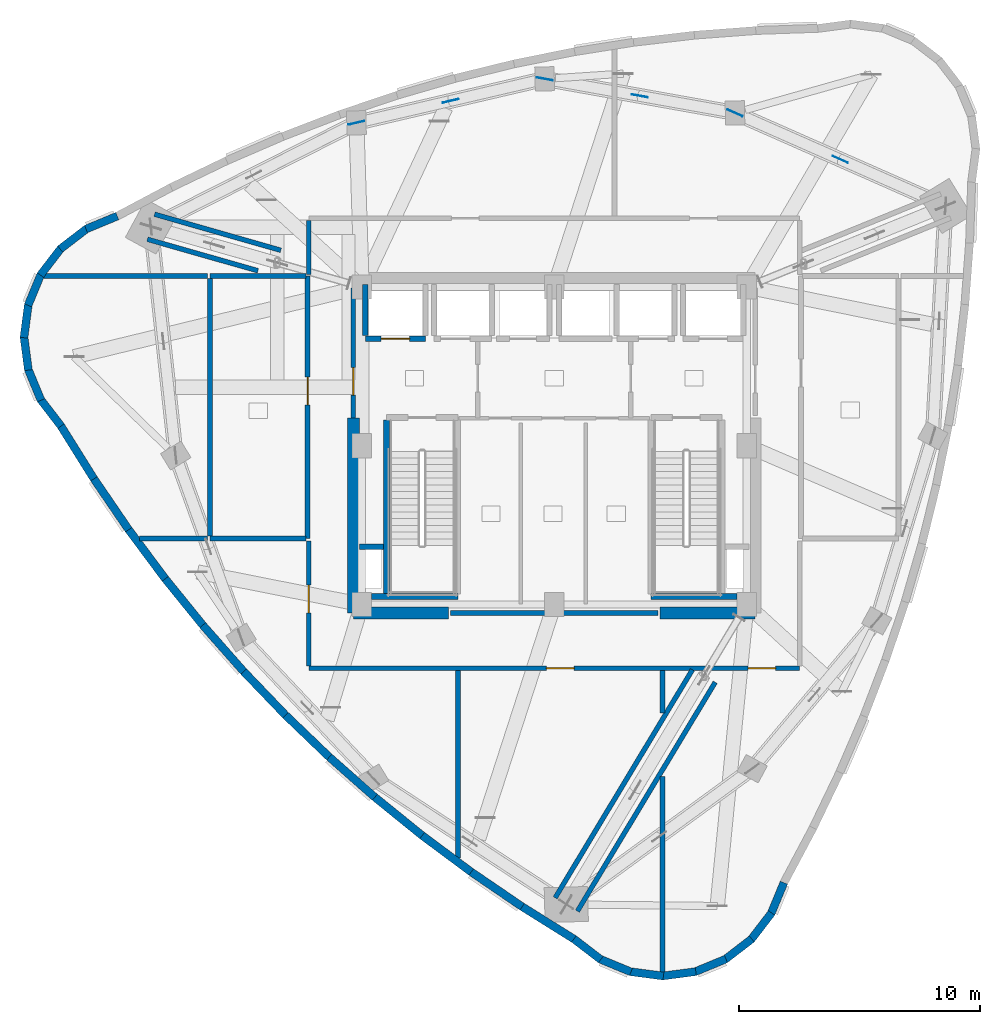
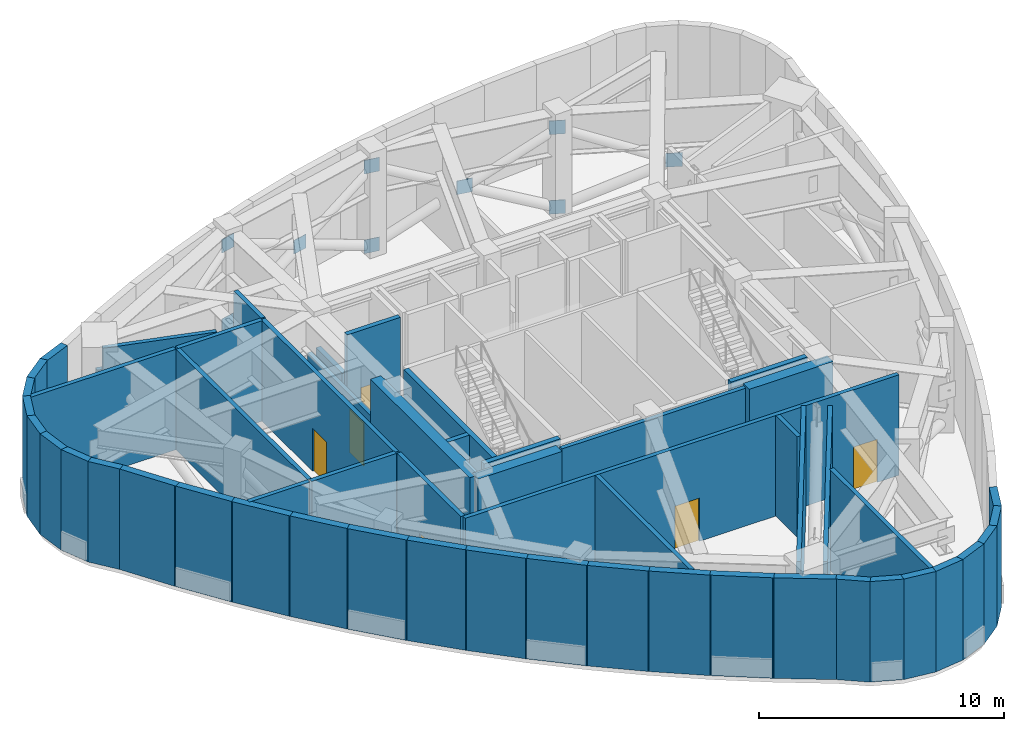
# One storey, part 5 of 10: 55 walls, 9 plates, 6 doors, 6 openings.
"""IFC4 building model written with IfcOpenShell, lengths in metres."""

import ifcopenshell
import ifcopenshell.guid

model = None  # the IFC model being written
_history = None  # IfcOwnerHistory: only IFC2X3 demands one
_inside = {}  # id of a spatial element -> (the spatial element, [elements in it])
_under = {}  # id of a project, library or spatial element -> (it, [spatial elements below it])
_declared = {}  # id of a project -> (the project, [libraries it declares])
_typed = {}  # id of a type object -> (the type object, [elements of that type])
_made_of = {}  # id of a material, layer set ... -> (it, [elements and type objects made of it])


def new_model(schema):
    """Start an empty IFC model of exactly this schema.

    Asked for "IFC4X3", IfcOpenShell would pick the latest addendum, in which some entities
    have other attributes; the version numbers below select the first issue.
    IFC2X3 requires an IfcOwnerHistory on every rooted entity: one is made here for all.
    """
    global model, _history
    if schema == "IFC4X3":
        model = ifcopenshell.file(schema_version=(4, 3, 0, 0))
    else:
        model = ifcopenshell.file(schema=schema)
    _inside.clear()
    _under.clear()
    _declared.clear()
    _typed.clear()
    _made_of.clear()
    _history = None
    if model.schema == "IFC2X3":
        org = make("IfcOrganization", Name="unknown")
        user = make(
            "IfcPersonAndOrganization",
            ThePerson=make("IfcPerson", FamilyName="unknown"),
            TheOrganization=org,
        )
        app = make(
            "IfcApplication",
            ApplicationDeveloper=org,
            Version="unknown",
            ApplicationFullName="unknown",
            ApplicationIdentifier="unknown",
        )
        _history = make(
            "IfcOwnerHistory",
            OwningUser=user,
            OwningApplication=app,
            ChangeAction="ADDED",
            CreationDate=0,
        )
    return model


def make(cls, **values):
    """One entity of the class cls with the attributes given. An attribute that is None is left unset."""
    return model.create_entity(
        cls, **{name: value for name, value in values.items() if value is not None}
    )


def rooted(cls, **values):
    """An entity with a GlobalId (a new one), such as an element, a storey or a relation."""
    return make(cls, GlobalId=ifcopenshell.guid.new(), OwnerHistory=_history, **values)


def si_unit(unit_type, name, prefix=None):
    """IfcSIUnit, for example si_unit("LENGTHUNIT", "METRE", prefix="MILLI")."""
    return make("IfcSIUnit", UnitType=unit_type, Prefix=prefix, Name=name)


def assignment(units):
    """IfcUnitAssignment: the units of a project."""
    return None if units is None else make("IfcUnitAssignment", Units=units)


def point(xyz):
    """IfcCartesianPoint."""
    return None if xyz is None else make("IfcCartesianPoint", Coordinates=xyz)


def direction(xyz):
    """IfcDirection."""
    return None if xyz is None else make("IfcDirection", DirectionRatios=xyz)


def frame(location, z_axis=None, x_axis=None):
    """IfcAxis2Placement3D, a coordinate frame: its origin and axes. An axis left out is left unset."""
    return make(
        "IfcAxis2Placement3D",
        Location=point(location),
        Axis=direction(z_axis),
        RefDirection=direction(x_axis),
    )


def frame_2d(location, x_axis=None):
    """IfcAxis2Placement2D, a coordinate frame in the plane: its origin and x axis."""
    return make(
        "IfcAxis2Placement2D", Location=point(location), RefDirection=direction(x_axis)
    )


def origin():
    """The frame at (0, 0, 0) with its axes left unset."""
    return frame((0.0, 0.0, 0.0))


def origin_2d():
    """The frame at (0, 0) in the plane with its x axis left unset."""
    return frame_2d((0.0, 0.0))


def place(relative_to, where):
    """IfcLocalPlacement: puts the frame where relative to a parent placement (None: the world)."""
    return make(
        "IfcLocalPlacement", PlacementRelTo=relative_to, RelativePlacement=where
    )


def context(
    kind, dimensions, precision=None, world=None, true_north=None, identifier=None
):
    """IfcGeometricRepresentationContext, for example the 3D "Model" context."""
    return make(
        "IfcGeometricRepresentationContext",
        ContextIdentifier=identifier,
        ContextType=kind,
        CoordinateSpaceDimension=dimensions,
        Precision=precision,
        WorldCoordinateSystem=world,
        TrueNorth=true_north,
    )


def subcontext(parent, identifier, kind, view, scale=None):
    """IfcGeometricRepresentationSubContext, for example "Body" below "Model"."""
    return make(
        "IfcGeometricRepresentationSubContext",
        ContextIdentifier=identifier,
        ContextType=kind,
        ParentContext=parent,
        TargetScale=scale,
        TargetView=view,
    )


def project(units=None, contexts=None):
    """IfcProject with its units and contexts."""
    return rooted(
        "IfcProject",
        Name="project",
        RepresentationContexts=contexts,
        UnitsInContext=assignment(units),
    )


def spatial(cls, under=None, at=None, **own):
    """A site, building, storey or space (cls), placed at a placement, below another one or the project."""
    s = rooted(cls, ObjectPlacement=at, **own)
    if under is not None:
        _under.setdefault(under.id(), (under, []))[1].append(s)
    return s


def profile(cls, at=None, kind="AREA", **sizes):
    """A parametric profile (cls). Its sizes go by their IFC names, for example OverallWidth=200.0."""
    return make(cls, ProfileType=kind, Position=at, **sizes)


def rectangle(**sizes):
    """IfcRectangleProfileDef."""
    return profile("IfcRectangleProfileDef", **sizes)


def extrude(swept, where, along, depth):
    """IfcExtrudedAreaSolid: the profile swept, set in the frame where, extruded along a direction by depth."""
    return make(
        "IfcExtrudedAreaSolid",
        SweptArea=swept,
        Position=where,
        ExtrudedDirection=direction(along),
        Depth=depth,
    )


def shape(context_of_items, identifier, shape_type, items):
    """IfcShapeRepresentation: the items that make up one representation, for example the "Body"."""
    return make(
        "IfcShapeRepresentation",
        ContextOfItems=context_of_items,
        RepresentationIdentifier=identifier,
        RepresentationType=shape_type,
        Items=items,
    )


def material(Name=None, Category=None):
    """IfcMaterial."""
    return make("IfcMaterial", Name=Name, Category=Category)


def layer(
    of_material, thickness, ventilated=None, Name=None, Category=None, Priority=None
):
    """IfcMaterialLayer: one layer of a wall or slab, of a material (None: an air gap)."""
    return make(
        "IfcMaterialLayer",
        Material=of_material,
        LayerThickness=thickness,
        IsVentilated=ventilated,
        Name=Name,
        Category=Category,
        Priority=Priority,
    )


def layer_set(layers, Name=None):
    """IfcMaterialLayerSet."""
    return make("IfcMaterialLayerSet", MaterialLayers=layers, LayerSetName=Name)


def made_of(thing, what):
    """Note that an element or type object is made of a material, layer set ...; save() writes the relation."""
    if what is not None:
        _made_of.setdefault(what.id(), (what, []))[1].append(thing)
    return thing


def type_object(cls, material=None, **own):
    """A type object (cls), such as IfcWallType, which elements share."""
    return made_of(rooted(cls, **own), material)


def element(
    cls,
    number,
    at=None,
    inside=None,
    cuts=None,
    type_object=None,
    material=None,
    context=None,
    identifier="Body",
    shape_type=None,
    held_by="IfcProductDefinitionShape",
    body=None,
    shapes=None,
    **own,
):
    """One element of the class cls, such as IfcWall. Its Tag is "e" and its number.

    at: its placement. inside: the storey or other place that contains it. cuts: it is an
    opening in that element (IfcRelVoidsElement). A single representation is given by context,
    identifier, shape_type and body (its items); several are given by shapes. held_by: the class
    of the entity that holds the representations. save() writes the other relations.
    """
    e = rooted(cls, Tag="e%d" % number, ObjectPlacement=at, **own)
    if body is not None:
        shapes = [shape(context, identifier, shape_type, body)]
    if shapes is not None:
        e.Representation = make(held_by, Representations=shapes)
    if inside is not None:
        _inside.setdefault(inside.id(), (inside, []))[1].append(e)
    if cuts is not None:
        rooted(
            "IfcRelVoidsElement", RelatingBuildingElement=cuts, RelatedOpeningElement=e
        )
    if type_object is not None:
        _typed.setdefault(type_object.id(), (type_object, []))[1].append(e)
    return made_of(e, material)


def fill(opening, filler):
    """IfcRelFillsElement: the door or window that sits in an opening."""
    return rooted(
        "IfcRelFillsElement",
        RelatingOpeningElement=opening,
        RelatedBuildingElement=filler,
    )


def aggregate(whole, parts):
    """IfcRelAggregates: a whole, such as a stair, and the parts it consists of."""
    return rooted("IfcRelAggregates", RelatingObject=whole, RelatedObjects=parts)


def save(model, path):
    """Write the relations noted so far, then the file.

    IfcRelAggregates (storeys below a building ...), IfcRelContainedInSpatialStructure (elements
    in a storey), IfcRelDefinesByType, IfcRelAssociatesMaterial and IfcRelDeclares: one each for
    every whole, place, type object, material and project.
    """
    for whole, parts in _under.values():
        aggregate(whole, parts)
    for where, things in _inside.values():
        rooted(
            "IfcRelContainedInSpatialStructure",
            RelatedElements=things,
            RelatingStructure=where,
        )
    for kind, things in _typed.values():
        rooted("IfcRelDefinesByType", RelatedObjects=things, RelatingType=kind)
    for what, things in _made_of.values():
        rooted("IfcRelAssociatesMaterial", RelatedObjects=things, RelatingMaterial=what)
    for by, libraries in _declared.values():
        rooted("IfcRelDeclares", RelatingContext=by, RelatedDefinitions=libraries)
    model.write(path)


model = new_model("IFC4")

# Units and contexts
model_context = context("Model", 3, precision=1e-05, world=origin(), true_north=direction((0.0, 1.0)))
body_context = subcontext(model_context, "Body", "Model", "MODEL_VIEW")
ifc_project = project(units=[si_unit("LENGTHUNIT", "METRE"), si_unit("AREAUNIT", "SQUARE_METRE"), si_unit("VOLUMEUNIT", "CUBIC_METRE"), si_unit("PLANEANGLEUNIT", "RADIAN"), si_unit("MASSUNIT", "GRAM", prefix="KILO")], contexts=[model_context])

# Site, building, storey
site_placement = place(None, origin())
site = spatial("IfcSite", under=ifc_project, at=site_placement, CompositionType="ELEMENT")
building_placement = place(site_placement, origin())
building = spatial("IfcBuilding", under=site, at=building_placement, Name="Ndelora Gate Hotel", CompositionType="ELEMENT")
storey_placement = place(building_placement, frame((0.0, 0.0, 254.949951171875)))
storey = spatial("IfcBuildingStorey", under=building, at=storey_placement, Name="L64", CompositionType="ELEMENT", Elevation=254.949951171875)

# Plates
ifc_material_1 = material(Name="Steel S460", Category="steel")
ifc_layer_1 = layer(ifc_material_1, 0.02392578125)
ifc_layer_set_1 = layer_set([ifc_layer_1], Name="Steel S460")
plate_type = type_object("IfcPlateType", Name="PL-NODE-BN3", PredefinedType="USERDEFINED", material=ifc_layer_set_1)
for number, where, z_axis, x_axis, name in (
    (1, (7.50830078125, 13.828369140625, 3.85986328125), (0.0, 0.0, 1.0), (-0.914818748228, 0.403864652935, 0.0), "Node gusset cap plate BN3"),
    (2, (7.50830078125, 13.828369140625, -0.10009765625), (0.0, 0.0, 1.0), (-0.914818748228, 0.403864652935, 0.0), "Node gusset cap plate BN3"),
    (3, (11.88427734375, 11.896484375, 1.8798828125), (0.0, 0.0, 1.0), (-0.914818748228, 0.403864652935, 0.0), "Node gusset cap plate BN3"),
    (4, (-0.399169921875, 15.242919921875, 3.85986328125), (0.0, 0.0, 1.0), (-0.984380510996, 0.17605399618, 0.0), "Node gusset cap plate BN3"),
    (5, (-0.399169921875, 15.242919921875, -0.10009765625), (0.0, 0.0, 1.0), (-0.984380510996, 0.17605399618, 0.0), "Node gusset cap plate BN3"),
    (6, (3.5546875, 14.53564453125, 1.8798828125), (0.0, 0.0, 1.0), (-0.984380510996, 0.17605399618, 0.0), "Node gusset cap plate BN3"),
    (7, (-8.2216796875, 13.41650390625, 3.85986328125), (0.0, 0.0, 1.0), (0.973817497477, 0.227331215647, 0.0), "Node gusset cap plate BN3"),
    (8, (-8.2216796875, 13.41650390625, -0.10009765625), (0.0, 0.0, 1.0), (0.973817497477, 0.227331215647, 0.0), "Node gusset cap plate BN3"),
    (9, (-4.310302734375, 14.32958984375, 1.8798828125), (0.0, 0.0, 1.0), (0.973817497477, 0.227331215647, 0.0), "Node gusset cap plate BN3"),
):
    element("IfcPlate", number, at=place(storey_placement, frame(where, z_axis=z_axis, x_axis=x_axis)), inside=storey, type_object=plate_type, Name=name, ObjectType="GUSSET_PLATE", PredefinedType="USERDEFINED", context=body_context, shape_type="SweptSolid", body=[
        extrude(rectangle(XDim=0.679931640625, YDim=0.02392578125, at=origin_2d()), origin(), (0.0, 0.0, 1.0), 0.679931640625),
    ])

# Walls
ifc_material_2 = material(Name="Clay Brick Masonry", Category="masonry")
ifc_layer_2 = layer(ifc_material_2, 0.330078125)
ifc_layer_set_2 = layer_set([ifc_layer_2], Name="Clay Brick Masonry")
wall_type_1 = type_object("IfcWallType", Name="WL-BRICK-330", PredefinedType="SOLIDWALL", material=ifc_layer_set_2)
for number, where, z_axis, x_axis, name in (
    (10, (-19.45751953125, 9.00439453125, 0.0), (0.0, 0.0, 1.0), (0.923824417597, 0.382816464446, 0.0), "L64 Tower Brick Pier-and-Spandrel Wall TWR-1"),
    (11, (-20.53125, 8.172607421875, 0.0), (0.0, 0.0, 1.0), (0.793416473107, 0.608679143886, 0.0), "L64 Tower Brick Pier-and-Spandrel Wall TWR-2"),
    (12, (-21.35302734375, 7.091064453125, 0.0), (0.0, 0.0, 1.0), (0.60887209944, 0.793268407617, 0.0), "L64 Tower Brick Pier-and-Spandrel Wall TWR-3"),
    (13, (-21.86669921875, 5.83349609375, 0.0), (0.0, 0.0, 1.0), (0.382668413767, 0.923885753275, 0.0), "L64 Tower Brick Pier-and-Spandrel Wall TWR-4"),
):
    element("IfcWall", number, at=place(storey_placement, frame(where, z_axis=z_axis, x_axis=x_axis)), inside=storey, type_object=wall_type_1, Name=name, PredefinedType="SOLIDWALL", context=body_context, shape_type="SweptSolid", body=[
        extrude(rectangle(XDim=1.407470703125, YDim=0.330078125, at=frame_2d((0.70361328125, 0.0))), origin(), (0.0, 0.0, 1.0), 5.0),
    ])
wall_1_placement = place(storey_placement, frame((-22.03759765625, 4.486083984375, 0.0), z_axis=(0.0, 0.0, 1.0), x_axis=(0.13045900021, 0.991453705053, 0.0)))
element("IfcWall", 14, at=wall_1_placement, inside=storey, type_object=wall_type_1, Name="L64 Tower Brick Pier-and-Spandrel Wall TWR-5", PredefinedType="SOLIDWALL", context=body_context, shape_type="SweptSolid", body=[
    extrude(rectangle(XDim=1.4072265625, YDim=0.330078125, at=frame_2d((0.70361328125, 0.0))), origin(), (0.0, 0.0, 1.0), 5.0),
])
for number, where, z_axis, x_axis, name in (
    (15, (-21.85400390625, 3.14013671875, 0.0), (0.0, 0.0, 1.0), (-0.130436565077, 0.99145665689, 0.0), "L64 Tower Brick Pier-and-Spandrel Wall TWR-6"),
    (16, (-21.328125, 1.8876953125, 0.0), (0.0, 0.0, 1.0), (-0.382668413767, 0.923885753275, 0.0), "L64 Tower Brick Pier-and-Spandrel Wall TWR-7"),
):
    element("IfcWall", number, at=place(storey_placement, frame(where, z_axis=z_axis, x_axis=x_axis)), inside=storey, type_object=wall_type_1, Name=name, PredefinedType="SOLIDWALL", context=body_context, shape_type="SweptSolid", body=[
        extrude(rectangle(XDim=1.407470703125, YDim=0.330078125, at=frame_2d((0.70361328125, 0.0))), origin(), (0.0, 0.0, 1.0), 5.0),
    ])
wall_2_placement = place(storey_placement, frame((-20.49609375, 0.81396484375, 0.0), z_axis=(0.0, 0.0, 1.0), x_axis=(-0.608788322782, 0.793332703249, 0.0)))
element("IfcWall", 17, at=wall_2_placement, inside=storey, type_object=wall_type_1, Name="L64 Tower Brick Pier-and-Spandrel Wall TWR-8", PredefinedType="SOLIDWALL", context=body_context, shape_type="SweptSolid", body=[
    extrude(rectangle(XDim=1.40771484375, YDim=0.330078125, at=frame_2d((0.703857421875, 0.0))), origin(), (0.0, 0.0, 1.0), 5.0),
])
wall_3_placement = place(storey_placement, frame((-19.1298828125, -1.376708984375, 0.0), z_axis=(0.0, 0.0, 1.0), x_axis=(-0.529990601171, 0.848003515718, 0.0)))
element("IfcWall", 18, at=wall_3_placement, inside=storey, type_object=wall_type_1, Name="L64 Tower Brick Pier-and-Spandrel Wall TWR-9", PredefinedType="SOLIDWALL", context=body_context, shape_type="SweptSolid", body=[
    extrude(rectangle(XDim=2.631591796875, YDim=0.330078125, at=frame_2d((1.31591796875, 0.0))), origin(), (0.0, 0.0, 1.0), 5.0),
])
wall_4_placement = place(storey_placement, frame((-17.68603515625, -3.49072265625, 0.0), z_axis=(0.0, 0.0, 1.0), x_axis=(-0.56364733987, 0.826015542382, 0.0)))
element("IfcWall", 19, at=wall_4_placement, inside=storey, type_object=wall_type_1, Name="L64 Tower Brick Pier-and-Spandrel Wall TWR-10", PredefinedType="SOLIDWALL", context=body_context, shape_type="SweptSolid", body=[
    extrude(rectangle(XDim=2.610107421875, YDim=0.330078125, at=frame_2d((1.30517578125, 0.0))), origin(), (0.0, 0.0, 1.0), 5.0),
])
wall_5_placement = place(storey_placement, frame((-16.167724609375, -5.5302734375, 0.0), z_axis=(0.0, 0.0, 1.0), x_axis=(-0.596816260409, 0.802377935459, 0.0)))
element("IfcWall", 20, at=wall_5_placement, inside=storey, type_object=wall_type_1, Name="L64 Tower Brick Pier-and-Spandrel Wall TWR-11", PredefinedType="SOLIDWALL", context=body_context, shape_type="SweptSolid", body=[
    extrude(rectangle(XDim=2.5927734375, YDim=0.330078125, at=frame_2d((1.29638671875, 0.0))), origin(), (0.0, 0.0, 1.0), 5.0),
])
wall_6_placement = place(storey_placement, frame((-14.57470703125, -7.494873046875, 0.0), z_axis=(0.0, 0.0, 1.0), x_axis=(-0.629519467463, 0.776984710329, 0.0)))
element("IfcWall", 21, at=wall_6_placement, inside=storey, type_object=wall_type_1, Name="L64 Tower Brick Pier-and-Spandrel Wall TWR-12", PredefinedType="SOLIDWALL", context=body_context, shape_type="SweptSolid", body=[
    extrude(rectangle(XDim=2.579345703125, YDim=0.330078125, at=frame_2d((1.28955078125, 0.0))), origin(), (0.0, 0.0, 1.0), 5.0),
])
wall_7_placement = place(storey_placement, frame((-12.9072265625, -9.385009765625, 0.0), z_axis=(0.0, 0.0, 1.0), x_axis=(-0.661257157457, 0.750159297557, 0.0)))
element("IfcWall", 22, at=wall_7_placement, inside=storey, type_object=wall_type_1, Name="L64 Tower Brick Pier-and-Spandrel Wall TWR-13", PredefinedType="SOLIDWALL", context=body_context, shape_type="SweptSolid", body=[
    extrude(rectangle(XDim=2.5703125, YDim=0.330078125, at=frame_2d((1.28515625, 0.0))), origin(), (0.0, 0.0, 1.0), 5.0),
])
for number, where, z_axis, x_axis, name in (
    (23, (-11.1650390625, -11.2001953125, 0.0), (0.0, 0.0, 1.0), (-0.692107859561, 0.721794091645, 0.0), "L64 Tower Brick Pier-and-Spandrel Wall TWR-14"),
    (24, (-9.34814453125, -12.94091796875, 0.0), (0.0, 0.0, 1.0), (-0.721794091645, 0.692107859561, 0.0), "L64 Tower Brick Pier-and-Spandrel Wall TWR-15"),
):
    element("IfcWall", number, at=place(storey_placement, frame(where, z_axis=z_axis, x_axis=x_axis)), inside=storey, type_object=wall_type_1, Name=name, PredefinedType="SOLIDWALL", context=body_context, shape_type="SweptSolid", body=[
        extrude(rectangle(XDim=2.56591796875, YDim=0.330078125, at=frame_2d((1.282958984375, 0.0))), origin(), (0.0, 0.0, 1.0), 5.0),
    ])
wall_8_placement = place(storey_placement, frame((-7.456787109375, -14.60693359375, 0.0), z_axis=(0.0, 0.0, 1.0), x_axis=(-0.750159297557, 0.661257157457, 0.0)))
element("IfcWall", 25, at=wall_8_placement, inside=storey, type_object=wall_type_1, Name="L64 Tower Brick Pier-and-Spandrel Wall TWR-16", PredefinedType="SOLIDWALL", context=body_context, shape_type="SweptSolid", body=[
    extrude(rectangle(XDim=2.5703125, YDim=0.330078125, at=frame_2d((1.28515625, 0.0))), origin(), (0.0, 0.0, 1.0), 5.0),
])
wall_9_placement = place(storey_placement, frame((-5.49072265625, -16.198486328125, 0.0), z_axis=(0.0, 0.0, 1.0), x_axis=(-0.776984710329, 0.629519467463, 0.0)))
element("IfcWall", 26, at=wall_9_placement, inside=storey, type_object=wall_type_1, Name="L64 Tower Brick Pier-and-Spandrel Wall TWR-17", PredefinedType="SOLIDWALL", context=body_context, shape_type="SweptSolid", body=[
    extrude(rectangle(XDim=2.579345703125, YDim=0.330078125, at=frame_2d((1.28955078125, 0.0))), origin(), (0.0, 0.0, 1.0), 5.0),
])
wall_10_placement = place(storey_placement, frame((-3.449951171875, -17.715087890625, 0.0), z_axis=(0.0, 0.0, 1.0), x_axis=(-0.802377935459, 0.596816260409, 0.0)))
element("IfcWall", 27, at=wall_10_placement, inside=storey, type_object=wall_type_1, Name="L64 Tower Brick Pier-and-Spandrel Wall TWR-18", PredefinedType="SOLIDWALL", context=body_context, shape_type="SweptSolid", body=[
    extrude(rectangle(XDim=2.5927734375, YDim=0.330078125, at=frame_2d((1.29638671875, 0.0))), origin(), (0.0, 0.0, 1.0), 5.0),
])
wall_11_placement = place(storey_placement, frame((-1.334716796875, -19.1572265625, 0.0), z_axis=(0.0, 0.0, 1.0), x_axis=(-0.826015542382, 0.56364733987, 0.0)))
element("IfcWall", 28, at=wall_11_placement, inside=storey, type_object=wall_type_1, Name="L64 Tower Brick Pier-and-Spandrel Wall TWR-19", PredefinedType="SOLIDWALL", context=body_context, shape_type="SweptSolid", body=[
    extrude(rectangle(XDim=2.610107421875, YDim=0.330078125, at=frame_2d((1.30517578125, 0.0))), origin(), (0.0, 0.0, 1.0), 5.0),
])
wall_12_placement = place(storey_placement, frame((0.85498046875, -20.524658203125, 0.0), z_axis=(0.0, 0.0, 1.0), x_axis=(-0.848003515718, 0.529990601171, 0.0)))
element("IfcWall", 29, at=wall_12_placement, inside=storey, type_object=wall_type_1, Name="L64 Tower Brick Pier-and-Spandrel Wall TWR-20", PredefinedType="SOLIDWALL", context=body_context, shape_type="SweptSolid", body=[
    extrude(rectangle(XDim=2.631591796875, YDim=0.330078125, at=frame_2d((1.31591796875, 0.0))), origin(), (0.0, 0.0, 1.0), 5.0),
])
wall_13_placement = place(storey_placement, frame((1.9306640625, -21.35302734375, 0.0), z_axis=(0.0, 0.0, 1.0), x_axis=(-0.793332703249, 0.608788322782, 0.0)))
element("IfcWall", 30, at=wall_13_placement, inside=storey, type_object=wall_type_1, Name="L64 Tower Brick Pier-and-Spandrel Wall TWR-21", PredefinedType="SOLIDWALL", context=body_context, shape_type="SweptSolid", body=[
    extrude(rectangle(XDim=1.40771484375, YDim=0.330078125, at=frame_2d((0.703857421875, 0.0))), origin(), (0.0, 0.0, 1.0), 5.0),
])
for number, where, z_axis, x_axis, name in (
    (31, (3.18798828125, -21.86669921875, 0.0), (0.0, 0.0, 1.0), (-0.923885753275, 0.382668413767, 0.0), "L64 Tower Brick Pier-and-Spandrel Wall TWR-22"),
    (32, (4.53564453125, -22.03759765625, 0.0), (0.0, 0.0, 1.0), (-0.99145665689, 0.130436565077, 0.0), "L64 Tower Brick Pier-and-Spandrel Wall TWR-23"),
):
    element("IfcWall", number, at=place(storey_placement, frame(where, z_axis=z_axis, x_axis=x_axis)), inside=storey, type_object=wall_type_1, Name=name, PredefinedType="SOLIDWALL", context=body_context, shape_type="SweptSolid", body=[
        extrude(rectangle(XDim=1.407470703125, YDim=0.330078125, at=frame_2d((0.70361328125, 0.0))), origin(), (0.0, 0.0, 1.0), 5.0),
    ])
wall_14_placement = place(storey_placement, frame((5.88134765625, -21.85400390625, 0.0), z_axis=(0.0, 0.0, 1.0), x_axis=(-0.991453705053, -0.13045900021, 0.0)))
element("IfcWall", 33, at=wall_14_placement, inside=storey, type_object=wall_type_1, Name="L64 Tower Brick Pier-and-Spandrel Wall TWR-24", PredefinedType="SOLIDWALL", context=body_context, shape_type="SweptSolid", body=[
    extrude(rectangle(XDim=1.4072265625, YDim=0.330078125, at=frame_2d((0.70361328125, 0.0))), origin(), (0.0, 0.0, 1.0), 5.0),
])
for number, where, z_axis, x_axis, name in (
    (34, (7.1337890625, -21.328125, 0.0), (0.0, 0.0, 1.0), (-0.923885753275, -0.382668413767, 0.0), "L64 Tower Brick Pier-and-Spandrel Wall TWR-25"),
    (35, (8.20751953125, -20.49609375, 0.0), (0.0, 0.0, 1.0), (-0.793268407617, -0.60887209944, 0.0), "L64 Tower Brick Pier-and-Spandrel Wall TWR-26"),
    (36, (9.029296875, -19.41455078125, 0.0), (0.0, 0.0, 1.0), (-0.608679143886, -0.793416473107, 0.0), "L64 Tower Brick Pier-and-Spandrel Wall TWR-27"),
    (37, (9.543212890625, -18.1572265625, 0.0), (0.0, 0.0, 1.0), (-0.382816464446, -0.923824417597, 0.0), "L64 Tower Brick Pier-and-Spandrel Wall TWR-28"),
):
    element("IfcWall", number, at=place(storey_placement, frame(where, z_axis=z_axis, x_axis=x_axis)), inside=storey, type_object=wall_type_1, Name=name, PredefinedType="SOLIDWALL", context=body_context, shape_type="SweptSolid", body=[
        extrude(rectangle(XDim=1.407470703125, YDim=0.330078125, at=frame_2d((0.70361328125, 0.0))), origin(), (0.0, 0.0, 1.0), 5.0),
    ])
ifc_material_3 = material(Name="Concrete C50/60", Category="concrete")
ifc_layer_3 = layer(ifc_material_3, 0.5)
ifc_layer_set_3 = layer_set([ifc_layer_3], Name="Concrete C50/60")
wall_type_2 = type_object("IfcWallType", Name="WL-CORE-500", PredefinedType="SHEAR", material=ifc_layer_set_3)
for number, where, z_axis, x_axis, name in (
    (38, (-8.35009765625, -6.949951171875, 0.0), (0.0, 0.0, 1.0), (1.0, 0.0, 0.0), "L64 Core Shear Wall S-W"),
    (39, (4.39990234375, -6.949951171875, 0.0), (0.0, 0.0, 1.0), (1.0, 0.0, 0.0), "L64 Core Shear Wall S-E"),
):
    element("IfcWall", number, at=place(storey_placement, frame(where, z_axis=z_axis, x_axis=x_axis)), inside=storey, type_object=wall_type_2, Name=name, PredefinedType="SHEAR", context=body_context, shape_type="SweptSolid", body=[
        extrude(rectangle(XDim=3.9501953125, YDim=0.5, at=frame_2d((1.97509765625, 0.0))), origin(), (0.0, 0.0, 1.0), 5.0),
    ])
wall_15_placement = place(storey_placement, frame((-8.35009765625, -6.949951171875, 0.0), z_axis=(0.0, 0.0, 1.0), x_axis=(0.0, 1.0, 0.0)))
element("IfcWall", 40, at=wall_15_placement, inside=storey, type_object=wall_type_2, Name="L64 Core Shear Wall W", PredefinedType="SHEAR", context=body_context, shape_type="SweptSolid", body=[
    extrude(rectangle(XDim=8.099853515625, YDim=0.5, at=frame_2d((4.0498046875, 0.0))), origin(), (0.0, 0.0, 1.0), 5.0),
])

# Wall, opening, door
ifc_material_4 = material(Name="Concrete C40/50", Category="concrete")
ifc_layer_4 = layer(ifc_material_4, 0.199951171875)
ifc_layer_set_4 = layer_set([ifc_layer_4], Name="Concrete C40/50")
wall_type_3 = type_object("IfcWallType", Name="WL-FIRE-200", PredefinedType="PARTITIONING", material=ifc_layer_set_4)
wall_16_placement = place(storey_placement, frame((-8.35009765625, 1.14990234375, 0.0), z_axis=(0.0, 0.0, 1.0), x_axis=(0.0, 1.0, 0.0)))
wall_16 = element("IfcWall", 41, at=wall_16_placement, inside=storey, type_object=wall_type_3, Name="L64 Interior Wall IW-2", PredefinedType="PARTITIONING", context=body_context, shape_type="SweptSolid", body=[
    extrude(rectangle(XDim=5.400146484375, YDim=0.199951171875, at=frame_2d((2.7001953125, 0.0))), origin(), (0.0, 0.0, 1.0), 2.97998046875),
])
opening_1_placement = place(wall_16_placement, frame((0.949951171875, 0.0, 0.0)))
opening_1 = element("IfcOpeningElement", 42, at=opening_1_placement, cuts=wall_16, Name="Opening FD1", PredefinedType="OPENING", context=body_context, shape_type="SweptSolid", body=[
    extrude(rectangle(XDim=1.14990234375, YDim=2.14990234375, at=frame_2d((0.574951171875, 1.074951171875))), frame((0.0, 0.10986328125, 0.0), z_axis=(0.0, -1.0, 0.0), x_axis=(1.0, 0.0, 0.0)), (0.0, 0.0, 1.0), 0.219970703125),
])
ifc_material_5 = material(Name="Fire-Rated Timber-Veneer Steel Core", Category="steel")
door_type_1 = type_object("IfcDoorType", Name="DR-FD60", OperationType="SINGLE_SWING_LEFT", PredefinedType="DOOR", material=ifc_material_5)
door_1_placement = place(opening_1_placement, origin())
door_1 = element("IfcDoor", 43, at=door_1_placement, inside=storey, type_object=door_type_1, Name="L64 Firefighting Lobby West Corridor Door", OperationType="SINGLE_SWING_LEFT", OverallHeight=2.14990234375, OverallWidth=1.14990234375, PredefinedType="DOOR", context=body_context, shape_type="SweptSolid", body=[
    extrude(rectangle(XDim=1.14990234375, YDim=2.14990234375, at=frame_2d((0.574951171875, 1.074951171875))), frame((0.0, 0.02490234375, 0.0), z_axis=(0.0, -1.0, 0.0), x_axis=(1.0, 0.0, 0.0)), (0.0, 0.0, 1.0), 0.050048828125),
])
fill(opening_1, door_1)

# Walls
wall_17_placement = place(storey_placement, frame((-4.320068359375, -6.949951171875, 0.0), z_axis=(0.0, 0.0, 1.0), x_axis=(1.0, 0.0, 0.0)))
element("IfcWall", 44, at=wall_17_placement, inside=storey, type_object=wall_type_3, Name="L64 Interior Wall IW-2", PredefinedType="PARTITIONING", context=body_context, shape_type="SweptSolid", body=[
    extrude(rectangle(XDim=8.64013671875, YDim=0.199951171875, at=frame_2d((4.320068359375, 0.0))), origin(), (0.0, 0.0, 1.0), 5.0),
])
wall_18_placement = place(storey_placement, frame((-11.36181640625, 8.120849609375, 0.0), z_axis=(0.0, 0.0, 1.0), x_axis=(-0.961611654889, 0.274413966812, 0.0)))
element("IfcWall", 45, at=wall_18_placement, inside=storey, type_object=wall_type_3, Name="L64 Interior Wall IW-2", PredefinedType="PARTITIONING", context=body_context, shape_type="SweptSolid", body=[
    extrude(rectangle(XDim=5.458984375, YDim=0.199951171875, at=frame_2d((2.7294921875, 0.0))), origin(), (0.0, 0.0, 1.0), 3.179931640625),
])
wall_19_placement = place(storey_placement, frame((-12.31591796875, 7.27001953125, 0.0), z_axis=(0.0, 0.0, 1.0), x_axis=(-0.96161457503, 0.27440373374, 0.0)))
element("IfcWall", 46, at=wall_19_placement, inside=storey, type_object=wall_type_3, Name="L64 Interior Wall IW-2", PredefinedType="PARTITIONING", context=body_context, shape_type="SweptSolid", body=[
    extrude(rectangle(XDim=4.775146484375, YDim=0.199951171875, at=frame_2d((2.3876953125, 0.0))), origin(), (0.0, 0.0, 1.0), 5.0),
])
wall_20_placement = place(storey_placement, frame((5.739013671875, -9.31005859375, 0.0), z_axis=(0.0, 0.0, 1.0), x_axis=(-0.515628322764, -0.856812367303, 0.0)))
element("IfcWall", 47, at=wall_20_placement, inside=storey, type_object=wall_type_3, Name="L64 Interior Wall IW-2", PredefinedType="PARTITIONING", context=body_context, shape_type="SweptSolid", body=[
    extrude(rectangle(XDim=11.05908203125, YDim=0.199951171875, at=frame_2d((5.529541015625, 0.0))), origin(), (0.0, 0.0, 1.0), 5.0),
])
wall_21_placement = place(storey_placement, frame((6.6875, -9.828369140625, 0.0), z_axis=(0.0, 0.0, 1.0), x_axis=(-0.51562696452, -0.85681318469, 0.0)))
element("IfcWall", 48, at=wall_21_placement, inside=storey, type_object=wall_type_3, Name="L64 Interior Wall IW-2", PredefinedType="PARTITIONING", context=body_context, shape_type="SweptSolid", body=[
    extrude(rectangle(XDim=11.10400390625, YDim=0.199951171875, at=frame_2d((5.552001953125, 0.0))), origin(), (0.0, 0.0, 1.0), 5.0),
])
wall_22_placement = place(storey_placement, frame((-14.300048828125, -3.75, 0.0), z_axis=(0.0, 0.0, 1.0), x_axis=(0.0, 1.0, 0.0)))
element("IfcWall", 49, at=wall_22_placement, inside=storey, type_object=wall_type_3, Name="L64 Interior Wall IW-2", PredefinedType="PARTITIONING", context=body_context, shape_type="SweptSolid", body=[
    extrude(rectangle(XDim=10.699951171875, YDim=0.199951171875, at=frame_2d((5.35009765625, 0.0))), origin(), (0.0, 0.0, 1.0), 5.0),
])
for number, where, z_axis, x_axis, name in (
    (50, (-14.300048828125, -3.85009765625, 0.0), (0.0, 0.0, 1.0), (1.0, 0.0, 0.0), "L64 Interior Wall IW-2"),
    (51, (-10.320068359375, 7.050048828125, 0.0), (0.0, 0.0, 1.0), (-1.0, 0.0, 0.0), "L64 Interior Wall IW-2"),
):
    element("IfcWall", number, at=place(storey_placement, frame(where, z_axis=z_axis, x_axis=x_axis)), inside=storey, type_object=wall_type_3, Name=name, PredefinedType="PARTITIONING", context=body_context, shape_type="SweptSolid", body=[
        extrude(rectangle(XDim=3.97998046875, YDim=0.199951171875, at=frame_2d((1.989990234375, 0.0))), origin(), (0.0, 0.0, 1.0), 5.0),
    ])

# Wall, opening, door
wall_23_placement = place(storey_placement, frame((-10.25, -3.85009765625, 0.0), z_axis=(0.0, 0.0, 1.0), x_axis=(0.0, 1.0, 0.0)))
wall_23 = element("IfcWall", 52, at=wall_23_placement, inside=storey, type_object=wall_type_3, Name="L64 Interior Wall IW-2", PredefinedType="PARTITIONING", context=body_context, shape_type="SweptSolid", body=[
    extrude(rectangle(XDim=10.900146484375, YDim=0.199951171875, at=frame_2d((5.4501953125, 0.0))), origin(), (0.0, 0.0, 1.0), 5.0),
])
opening_2_placement = place(wall_23_placement, frame((5.550048828125, 0.0, 0.0)))
opening_2 = element("IfcOpeningElement", 53, at=opening_2_placement, cuts=wall_23, Name="Opening FD1", PredefinedType="OPENING", context=body_context, shape_type="SweptSolid", body=[
    extrude(rectangle(XDim=1.14990234375, YDim=2.14990234375, at=frame_2d((0.574951171875, 1.074951171875))), frame((0.0, 0.10986328125, 0.0), z_axis=(0.0, -1.0, 0.0), x_axis=(1.0, 0.0, 0.0)), (0.0, 0.0, 1.0), 0.219970703125),
])
door_2_placement = place(opening_2_placement, origin())
door_2 = element("IfcDoor", 54, at=door_2_placement, inside=storey, type_object=door_type_1, Name="L64 West Refuge Corridor Fire Door", OperationType="SINGLE_SWING_RIGHT", OverallHeight=2.14990234375, OverallWidth=1.14990234375, PredefinedType="DOOR", context=body_context, shape_type="SweptSolid", body=[
    extrude(rectangle(XDim=1.14990234375, YDim=2.14990234375, at=frame_2d((0.574951171875, 1.074951171875))), frame((0.0, 0.02490234375, 0.0), z_axis=(0.0, -1.0, 0.0), x_axis=(1.0, 0.0, 0.0)), (0.0, 0.0, 1.0), 0.050048828125),
])
fill(opening_2, door_2)

# Walls
wall_24_placement = place(storey_placement, frame((-4.0, -9.35009765625, 0.0), z_axis=(0.0, 0.0, 1.0), x_axis=(0.0, -1.0, 0.0)))
element("IfcWall", 55, at=wall_24_placement, inside=storey, type_object=wall_type_3, Name="L64 Interior Wall IW-2", PredefinedType="PARTITIONING", context=body_context, shape_type="SweptSolid", body=[
    extrude(rectangle(XDim=7.781494140625, YDim=0.199951171875, at=frame_2d((3.890625, 0.0))), origin(), (0.0, 0.0, 1.0), 5.0),
])
wall_25_placement = place(storey_placement, frame((4.5, -9.35009765625, 0.0), z_axis=(0.0, 0.0, 1.0), x_axis=(0.0, -1.0, 0.0)))
element("IfcWall", 56, at=wall_25_placement, inside=storey, type_object=wall_type_3, Name="L64 Interior Wall IW-2", PredefinedType="PARTITIONING", context=body_context, shape_type="SweptSolid", body=[
    extrude(rectangle(XDim=1.7470703125, YDim=0.199951171875, at=frame_2d((0.87353515625, 0.0))), origin(), (0.0, 0.0, 1.0), 5.0),
])
wall_26_placement = place(storey_placement, frame((4.5, -13.734619140625, 0.0), z_axis=(0.0, 0.0, 1.0), x_axis=(0.0, -1.0, 0.0)))
element("IfcWall", 57, at=wall_26_placement, inside=storey, type_object=wall_type_3, Name="L64 Interior Wall IW-2", PredefinedType="PARTITIONING", context=body_context, shape_type="SweptSolid", body=[
    extrude(rectangle(XDim=8.1572265625, YDim=0.199951171875, at=frame_2d((4.07861328125, 0.0))), origin(), (0.0, 0.0, 1.0), 5.0),
])
wall_27_placement = place(storey_placement, frame((-14.39990234375, 7.050048828125, 0.0), z_axis=(0.0, 0.0, 1.0), x_axis=(-1.0, 0.0, 0.0)))
element("IfcWall", 58, at=wall_27_placement, inside=storey, type_object=wall_type_3, Name="L64 Interior Wall IW-2", PredefinedType="PARTITIONING", context=body_context, shape_type="SweptSolid", body=[
    extrude(rectangle(XDim=6.80810546875, YDim=0.199951171875, at=frame_2d((3.404052734375, 0.0))), origin(), (0.0, 0.0, 1.0), 5.0),
])
wall_28_placement = place(storey_placement, frame((-14.39990234375, -3.85009765625, 0.0), z_axis=(0.0, 0.0, 1.0), x_axis=(-1.0, 0.0, 0.0)))
element("IfcWall", 59, at=wall_28_placement, inside=storey, type_object=wall_type_3, Name="L64 Interior Wall IW-2", PredefinedType="PARTITIONING", context=body_context, shape_type="SweptSolid", body=[
    extrude(rectangle(XDim=2.84326171875, YDim=0.199951171875, at=frame_2d((1.421630859375, 0.0))), origin(), (0.0, 0.0, 1.0), 5.0),
])
wall_29_placement = place(storey_placement, frame((-10.199951171875, 9.35009765625, 0.0), z_axis=(0.0, 0.0, 1.0), x_axis=(0.0, -1.0, 0.0)))
element("IfcWall", 60, at=wall_29_placement, inside=storey, type_object=wall_type_3, Name="L64 Interior Wall IW-2", PredefinedType="PARTITIONING", context=body_context, shape_type="SweptSolid", body=[
    extrude(rectangle(XDim=2.22998046875, YDim=0.199951171875, at=frame_2d((1.114990234375, 0.0))), origin(), (0.0, 0.0, 1.0), 5.0),
])

# Wall, opening, door
wall_30_placement = place(storey_placement, frame((-10.199951171875, -3.949951171875, 0.0), z_axis=(0.0, 0.0, 1.0), x_axis=(0.0, -1.0, 0.0)))
wall_30 = element("IfcWall", 61, at=wall_30_placement, inside=storey, type_object=wall_type_3, Name="L64 Interior Wall IW-2", PredefinedType="PARTITIONING", context=body_context, shape_type="SweptSolid", body=[
    extrude(rectangle(XDim=5.199951171875, YDim=0.199951171875, at=frame_2d((2.60009765625, 0.0))), origin(), (0.0, 0.0, 1.0), 5.0),
])
opening_3_placement = place(wall_30_placement, frame((1.843017578125, 0.0, 0.0)))
opening_3 = element("IfcOpeningElement", 62, at=opening_3_placement, cuts=wall_30, Name="Opening FD1", PredefinedType="OPENING", context=body_context, shape_type="SweptSolid", body=[
    extrude(rectangle(XDim=1.14990234375, YDim=2.14990234375, at=frame_2d((0.574951171875, 1.074951171875))), frame((0.0, 0.10986328125, 0.0), z_axis=(0.0, -1.0, 0.0), x_axis=(1.0, 0.0, 0.0)), (0.0, 0.0, 1.0), 0.219970703125),
])
door_3_placement = place(opening_3_placement, origin())
door_3 = element("IfcDoor", 63, at=door_3_placement, inside=storey, type_object=door_type_1, Name="L64 Domestic Booster and Fire Pump Room Fire Door", OperationType="SINGLE_SWING_RIGHT", OverallHeight=2.14990234375, OverallWidth=1.14990234375, PredefinedType="DOOR", context=body_context, shape_type="SweptSolid", body=[
    extrude(rectangle(XDim=1.14990234375, YDim=2.14990234375, at=frame_2d((0.574951171875, 1.074951171875))), frame((0.0, 0.02490234375, 0.0), z_axis=(0.0, -1.0, 0.0), x_axis=(1.0, 0.0, 0.0)), (0.0, 0.0, 1.0), 0.050048828125),
])
fill(opening_3, door_3)

# Wall, openings, doors
wall_31_placement = place(storey_placement, frame((-10.199951171875, -9.25, 0.0), z_axis=(0.0, 0.0, 1.0), x_axis=(1.0, 0.0, 0.0)))
wall_31 = element("IfcWall", 64, at=wall_31_placement, inside=storey, type_object=wall_type_3, Name="L64 Interior Wall IW-2", PredefinedType="PARTITIONING", context=body_context, shape_type="SweptSolid", body=[
    extrude(rectangle(XDim=20.39990234375, YDim=0.199951171875, at=frame_2d((10.199951171875, 0.0))), origin(), (0.0, 0.0, 1.0), 5.0),
])
opening_4_placement = place(wall_31_placement, frame((9.875, 0.0, 0.0)))
opening_4 = element("IfcOpeningElement", 65, at=opening_4_placement, cuts=wall_31, Name="Opening FD1", PredefinedType="OPENING", context=body_context, shape_type="SweptSolid", body=[
    extrude(rectangle(XDim=1.14990234375, YDim=2.14990234375, at=frame_2d((0.574951171875, 1.074951171875))), frame((0.0, 0.10986328125, 0.0), z_axis=(0.0, -1.0, 0.0), x_axis=(1.0, 0.0, 0.0)), (0.0, 0.0, 1.0), 0.219970703125),
])
opening_5_placement = place(wall_31_placement, frame((18.250244140625, 0.0, 0.0)))
opening_5 = element("IfcOpeningElement", 66, at=opening_5_placement, cuts=wall_31, Name="Opening FD1", PredefinedType="OPENING", context=body_context, shape_type="SweptSolid", body=[
    extrude(rectangle(XDim=1.14990234375, YDim=2.14990234375, at=frame_2d((0.574951171875, 1.074951171875))), frame((0.0, 0.10986328125, 0.0), z_axis=(0.0, -1.0, 0.0), x_axis=(1.0, 0.0, 0.0)), (0.0, 0.0, 1.0), 0.219970703125),
])
door_4_placement = place(opening_4_placement, origin())
door_4 = element("IfcDoor", 67, at=door_4_placement, inside=storey, type_object=door_type_1, Name="L64 HV and LV Switchgear Transformer Room Fire Door", OperationType="SINGLE_SWING_LEFT", OverallHeight=2.14990234375, OverallWidth=1.14990234375, PredefinedType="DOOR", context=body_context, shape_type="SweptSolid", body=[
    extrude(rectangle(XDim=1.14990234375, YDim=2.14990234375, at=frame_2d((0.574951171875, 1.074951171875))), frame((0.0, 0.02490234375, 0.0), z_axis=(0.0, -1.0, 0.0), x_axis=(1.0, 0.0, 0.0)), (0.0, 0.0, 1.0), 0.050048828125),
])
fill(opening_4, door_4)
door_5_placement = place(opening_5_placement, origin())
door_5 = element("IfcDoor", 68, at=door_5_placement, inside=storey, type_object=door_type_1, Name="L64 BMS Control and Telecoms Plant Room Fire Door", OperationType="SINGLE_SWING_RIGHT", OverallHeight=2.14990234375, OverallWidth=1.14990234375, PredefinedType="DOOR", context=body_context, shape_type="SweptSolid", body=[
    extrude(rectangle(XDim=1.14990234375, YDim=2.14990234375, at=frame_2d((0.574951171875, 1.074951171875))), frame((0.0, 0.02490234375, 0.0), z_axis=(0.0, -1.0, 0.0), x_axis=(1.0, 0.0, 0.0)), (0.0, 0.0, 1.0), 0.050048828125),
])
fill(opening_5, door_5)

# Wall
ifc_layer_5 = layer(ifc_material_4, 0.219970703125)
ifc_layer_set_5 = layer_set([ifc_layer_5], Name="Concrete C40/50")
wall_type_4 = type_object("IfcWallType", Name="WL-SHAFT-220", PredefinedType="PARTITIONING", material=ifc_layer_set_5)
wall_32_placement = place(storey_placement, frame((-8.10009765625, -4.199951171875, 0.0), z_axis=(0.0, 0.0, 1.0), x_axis=(1.0, 0.0, 0.0)))
element("IfcWall", 69, at=wall_32_placement, inside=storey, type_object=wall_type_4, Name="L64 Interior Wall IW-1", PredefinedType="PARTITIONING", context=body_context, shape_type="SweptSolid", body=[
    extrude(rectangle(XDim=1.010009765625, YDim=0.219970703125, at=frame_2d((0.5048828125, 0.0))), origin(), (0.0, 0.0, 1.0), 5.0),
])

# Wall, opening, door
wall_33_placement = place(storey_placement, frame((-7.85009765625, 4.449951171875, 0.0), z_axis=(0.0, 0.0, 1.0), x_axis=(1.0, 0.0, 0.0)))
wall_33 = element("IfcWall", 70, at=wall_33_placement, inside=storey, type_object=wall_type_4, Name="L64 Interior Wall IW-1", PredefinedType="PARTITIONING", context=body_context, shape_type="SweptSolid", body=[
    extrude(rectangle(XDim=2.5, YDim=0.219970703125, at=frame_2d((1.25, 0.0))), origin(), (0.0, 0.0, 1.0), 5.0),
])
opening_6_placement = place(wall_33_placement, frame((0.659912109375, 0.0, 0.0)))
opening_6 = element("IfcOpeningElement", 71, at=opening_6_placement, cuts=wall_33, Name="Opening LD5", PredefinedType="OPENING", context=body_context, shape_type="SweptSolid", body=[
    extrude(rectangle(XDim=1.179931640625, YDim=2.14990234375, at=frame_2d((0.58984375, 1.074951171875))), frame((0.0, 0.1201171875, 0.0), z_axis=(0.0, -1.0, 0.0), x_axis=(1.0, 0.0, 0.0)), (0.0, 0.0, 1.0), 0.239990234375),
])
ifc_material_6 = material(Name="Firefighting Lift Stainless Sliding Landing Door", Category="metal")
door_type_2 = type_object("IfcDoorType", Name="DR-LD5", OperationType="DOUBLE_DOOR_SLIDING", PredefinedType="DOOR", material=ifc_material_6)
door_6_placement = place(opening_6_placement, origin())
door_6 = element("IfcDoor", 72, at=door_6_placement, inside=storey, type_object=door_type_2, Name="L64 Lift Landing Sliding Door FFL1", OperationType="DOUBLE_DOOR_SLIDING", OverallHeight=2.14990234375, OverallWidth=1.179931640625, PredefinedType="DOOR", context=body_context, shape_type="SweptSolid", body=[
    extrude(rectangle(XDim=1.179931640625, YDim=2.14990234375, at=frame_2d((0.58984375, 1.074951171875))), frame((0.0, 0.02490234375, 0.0), z_axis=(0.0, -1.0, 0.0), x_axis=(1.0, 0.0, 0.0)), (0.0, 0.0, 1.0), 0.050048828125),
])
fill(opening_6, door_6)

# Walls
wall_34_placement = place(storey_placement, frame((-7.85009765625, 4.570068359375, 0.0), z_axis=(0.0, 0.0, 1.0), x_axis=(0.0, 1.0, 0.0)))
element("IfcWall", 73, at=wall_34_placement, inside=storey, type_object=wall_type_4, Name="L64 Interior Wall IW-1", PredefinedType="PARTITIONING", context=body_context, shape_type="SweptSolid", body=[
    extrude(rectangle(XDim=2.1298828125, YDim=0.219970703125, at=frame_2d((1.06494140625, 0.0))), origin(), (0.0, 0.0, 1.0), 2.97998046875),
])
ifc_layer_6 = layer(ifc_material_3, 0.239990234375)
ifc_layer_set_6 = layer_set([ifc_layer_6], Name="Concrete C50/60")
wall_type_5 = type_object("IfcWallType", Name="WL-STAIR-240", PredefinedType="SHEAR", material=ifc_layer_set_6)
wall_35_placement = place(storey_placement, frame((-6.969970703125, -6.159912109375, 0.0), z_axis=(0.0, 0.0, 1.0), x_axis=(0.0, 1.0, 0.0)))
element("IfcWall", 74, at=wall_35_placement, inside=storey, type_object=wall_type_5, Name="L64 Stair Core Shear Wall SW-ST", PredefinedType="SHEAR", context=body_context, shape_type="SweptSolid", body=[
    extrude(rectangle(XDim=7.219970703125, YDim=0.239990234375, at=frame_2d((3.60986328125, 0.0))), origin(), (0.0, 0.0, 1.0), 5.0),
])
for number, where, z_axis, x_axis, name in (
    (75, (-7.60009765625, -6.27001953125, 0.0), (0.0, 0.0, 1.0), (1.0, 0.0, 0.0), "L64 Stair Core Shear Wall SW-ST"),
    (76, (4.010009765625, -6.27001953125, 0.0), (0.0, 0.0, 1.0), (1.0, 0.0, 0.0), "L64 Stair Core Shear Wall SW-ST"),
):
    element("IfcWall", number, at=place(storey_placement, frame(where, z_axis=z_axis, x_axis=x_axis)), inside=storey, type_object=wall_type_5, Name=name, PredefinedType="SHEAR", context=body_context, shape_type="SweptSolid", body=[
        extrude(rectangle(XDim=3.590087890625, YDim=0.239990234375, at=frame_2d((1.794921875, 0.0))), origin(), (0.0, 0.0, 1.0), 5.0),
    ])

save(model, "model.ifc")
